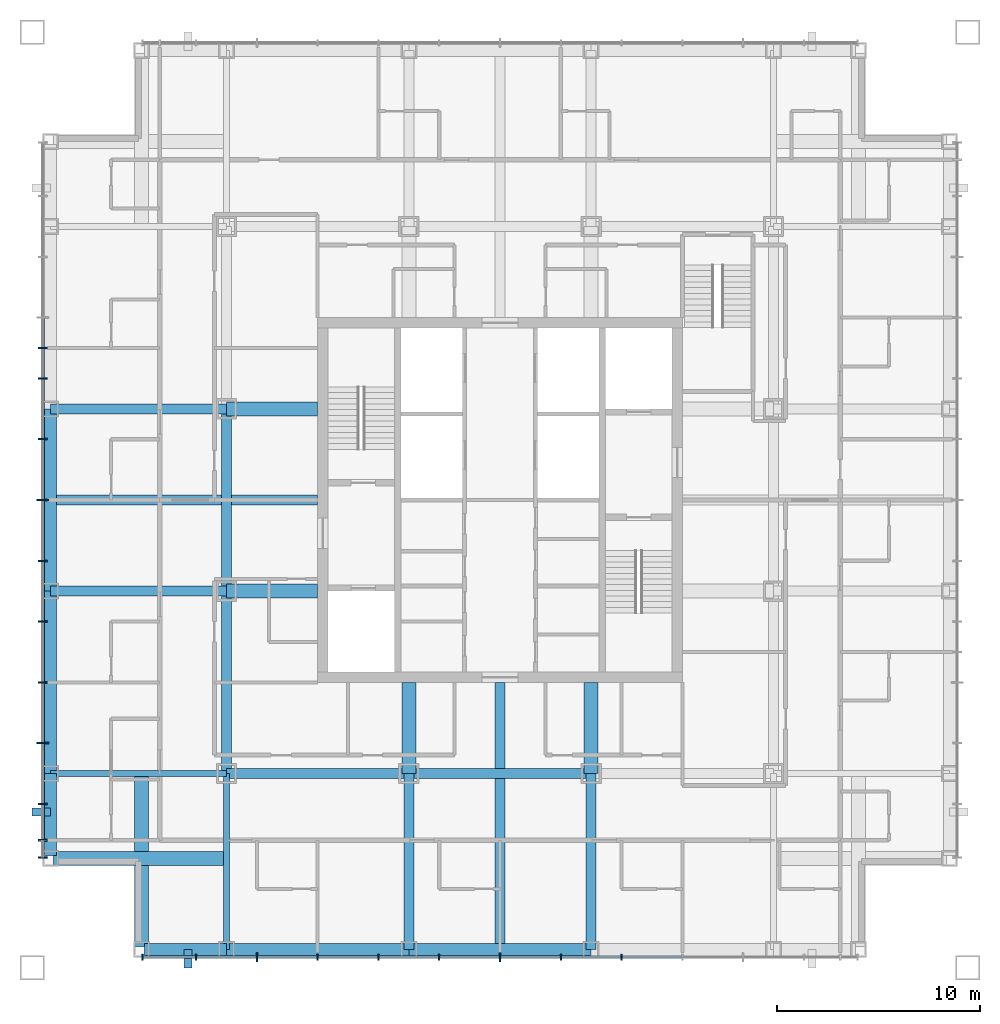
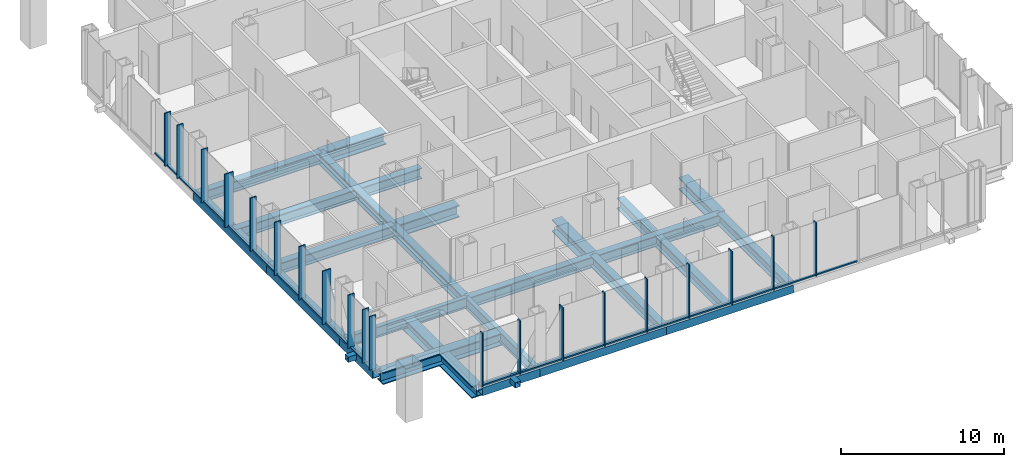
# One storey, part 2 of 12: 41 members, 24 beams, 2 elements without a shape of their own.
"""IFC4 building model written with IfcOpenShell, lengths in metres."""

import ifcopenshell
import ifcopenshell.guid

model = None  # the IFC model being written
_history = None  # IfcOwnerHistory: only IFC2X3 demands one
_inside = {}  # id of a spatial element -> (the spatial element, [elements in it])
_under = {}  # id of a project, library or spatial element -> (it, [spatial elements below it])
_declared = {}  # id of a project -> (the project, [libraries it declares])
_typed = {}  # id of a type object -> (the type object, [elements of that type])
_made_of = {}  # id of a material, layer set ... -> (it, [elements and type objects made of it])


def new_model(schema):
    """Start an empty IFC model of exactly this schema.

    Asked for "IFC4X3", IfcOpenShell would pick the latest addendum, in which some entities
    have other attributes; the version numbers below select the first issue.
    IFC2X3 requires an IfcOwnerHistory on every rooted entity: one is made here for all.
    """
    global model, _history
    if schema == "IFC4X3":
        model = ifcopenshell.file(schema_version=(4, 3, 0, 0))
    else:
        model = ifcopenshell.file(schema=schema)
    _inside.clear()
    _under.clear()
    _declared.clear()
    _typed.clear()
    _made_of.clear()
    _history = None
    if model.schema == "IFC2X3":
        org = make("IfcOrganization", Name="unknown")
        user = make(
            "IfcPersonAndOrganization",
            ThePerson=make("IfcPerson", FamilyName="unknown"),
            TheOrganization=org,
        )
        app = make(
            "IfcApplication",
            ApplicationDeveloper=org,
            Version="unknown",
            ApplicationFullName="unknown",
            ApplicationIdentifier="unknown",
        )
        _history = make(
            "IfcOwnerHistory",
            OwningUser=user,
            OwningApplication=app,
            ChangeAction="ADDED",
            CreationDate=0,
        )
    return model


def make(cls, **values):
    """One entity of the class cls with the attributes given. An attribute that is None is left unset."""
    return model.create_entity(
        cls, **{name: value for name, value in values.items() if value is not None}
    )


def rooted(cls, **values):
    """An entity with a GlobalId (a new one), such as an element, a storey or a relation."""
    return make(cls, GlobalId=ifcopenshell.guid.new(), OwnerHistory=_history, **values)


def si_unit(unit_type, name, prefix=None):
    """IfcSIUnit, for example si_unit("LENGTHUNIT", "METRE", prefix="MILLI")."""
    return make("IfcSIUnit", UnitType=unit_type, Prefix=prefix, Name=name)


def assignment(units):
    """IfcUnitAssignment: the units of a project."""
    return None if units is None else make("IfcUnitAssignment", Units=units)


def point(xyz):
    """IfcCartesianPoint."""
    return None if xyz is None else make("IfcCartesianPoint", Coordinates=xyz)


def direction(xyz):
    """IfcDirection."""
    return None if xyz is None else make("IfcDirection", DirectionRatios=xyz)


def frame(location, z_axis=None, x_axis=None):
    """IfcAxis2Placement3D, a coordinate frame: its origin and axes. An axis left out is left unset."""
    return make(
        "IfcAxis2Placement3D",
        Location=point(location),
        Axis=direction(z_axis),
        RefDirection=direction(x_axis),
    )


def frame_2d(location, x_axis=None):
    """IfcAxis2Placement2D, a coordinate frame in the plane: its origin and x axis."""
    return make(
        "IfcAxis2Placement2D", Location=point(location), RefDirection=direction(x_axis)
    )


def origin():
    """The frame at (0, 0, 0) with its axes left unset."""
    return frame((0.0, 0.0, 0.0))


def origin_2d():
    """The frame at (0, 0) in the plane with its x axis left unset."""
    return frame_2d((0.0, 0.0))


def place(relative_to, where):
    """IfcLocalPlacement: puts the frame where relative to a parent placement (None: the world)."""
    return make(
        "IfcLocalPlacement", PlacementRelTo=relative_to, RelativePlacement=where
    )


def context(
    kind, dimensions, precision=None, world=None, true_north=None, identifier=None
):
    """IfcGeometricRepresentationContext, for example the 3D "Model" context."""
    return make(
        "IfcGeometricRepresentationContext",
        ContextIdentifier=identifier,
        ContextType=kind,
        CoordinateSpaceDimension=dimensions,
        Precision=precision,
        WorldCoordinateSystem=world,
        TrueNorth=true_north,
    )


def subcontext(parent, identifier, kind, view, scale=None):
    """IfcGeometricRepresentationSubContext, for example "Body" below "Model"."""
    return make(
        "IfcGeometricRepresentationSubContext",
        ContextIdentifier=identifier,
        ContextType=kind,
        ParentContext=parent,
        TargetScale=scale,
        TargetView=view,
    )


def project(units=None, contexts=None):
    """IfcProject with its units and contexts."""
    return rooted(
        "IfcProject",
        Name="project",
        RepresentationContexts=contexts,
        UnitsInContext=assignment(units),
    )


def spatial(cls, under=None, at=None, **own):
    """A site, building, storey or space (cls), placed at a placement, below another one or the project."""
    s = rooted(cls, ObjectPlacement=at, **own)
    if under is not None:
        _under.setdefault(under.id(), (under, []))[1].append(s)
    return s


def profile(cls, at=None, kind="AREA", **sizes):
    """A parametric profile (cls). Its sizes go by their IFC names, for example OverallWidth=200.0."""
    return make(cls, ProfileType=kind, Position=at, **sizes)


def rectangle(**sizes):
    """IfcRectangleProfileDef."""
    return profile("IfcRectangleProfileDef", **sizes)


def hollow_rectangle(**sizes):
    """IfcRectangleHollowProfileDef."""
    return profile("IfcRectangleHollowProfileDef", **sizes)


def i_section(**sizes):
    """IfcIShapeProfileDef."""
    return profile("IfcIShapeProfileDef", **sizes)


def extrude(swept, where, along, depth):
    """IfcExtrudedAreaSolid: the profile swept, set in the frame where, extruded along a direction by depth."""
    return make(
        "IfcExtrudedAreaSolid",
        SweptArea=swept,
        Position=where,
        ExtrudedDirection=direction(along),
        Depth=depth,
    )


def shape(context_of_items, identifier, shape_type, items):
    """IfcShapeRepresentation: the items that make up one representation, for example the "Body"."""
    return make(
        "IfcShapeRepresentation",
        ContextOfItems=context_of_items,
        RepresentationIdentifier=identifier,
        RepresentationType=shape_type,
        Items=items,
    )


def material(Name=None, Category=None):
    """IfcMaterial."""
    return make("IfcMaterial", Name=Name, Category=Category)


def layer(
    of_material, thickness, ventilated=None, Name=None, Category=None, Priority=None
):
    """IfcMaterialLayer: one layer of a wall or slab, of a material (None: an air gap)."""
    return make(
        "IfcMaterialLayer",
        Material=of_material,
        LayerThickness=thickness,
        IsVentilated=ventilated,
        Name=Name,
        Category=Category,
        Priority=Priority,
    )


def layer_set(layers, Name=None):
    """IfcMaterialLayerSet."""
    return make("IfcMaterialLayerSet", MaterialLayers=layers, LayerSetName=Name)


def material_profile(
    of_material, cross_section, Name=None, Category=None, Priority=None
):
    """IfcMaterialProfile: a cross section and its material."""
    return make(
        "IfcMaterialProfile",
        Name=Name,
        Material=of_material,
        Profile=cross_section,
        Priority=Priority,
        Category=Category,
    )


def profile_set(profiles, Name=None, composite=None):
    """IfcMaterialProfileSet."""
    return make(
        "IfcMaterialProfileSet",
        Name=Name,
        MaterialProfiles=profiles,
        CompositeProfile=composite,
    )


def made_of(thing, what):
    """Note that an element or type object is made of a material, layer set ...; save() writes the relation."""
    if what is not None:
        _made_of.setdefault(what.id(), (what, []))[1].append(thing)
    return thing


def type_object(cls, material=None, **own):
    """A type object (cls), such as IfcWallType, which elements share."""
    return made_of(rooted(cls, **own), material)


def element(
    cls,
    number,
    at=None,
    inside=None,
    cuts=None,
    type_object=None,
    material=None,
    context=None,
    identifier="Body",
    shape_type=None,
    held_by="IfcProductDefinitionShape",
    body=None,
    shapes=None,
    **own,
):
    """One element of the class cls, such as IfcWall. Its Tag is "e" and its number.

    at: its placement. inside: the storey or other place that contains it. cuts: it is an
    opening in that element (IfcRelVoidsElement). A single representation is given by context,
    identifier, shape_type and body (its items); several are given by shapes. held_by: the class
    of the entity that holds the representations. save() writes the other relations.
    """
    e = rooted(cls, Tag="e%d" % number, ObjectPlacement=at, **own)
    if body is not None:
        shapes = [shape(context, identifier, shape_type, body)]
    if shapes is not None:
        e.Representation = make(held_by, Representations=shapes)
    if inside is not None:
        _inside.setdefault(inside.id(), (inside, []))[1].append(e)
    if cuts is not None:
        rooted(
            "IfcRelVoidsElement", RelatingBuildingElement=cuts, RelatedOpeningElement=e
        )
    if type_object is not None:
        _typed.setdefault(type_object.id(), (type_object, []))[1].append(e)
    return made_of(e, material)


def aggregate(whole, parts):
    """IfcRelAggregates: a whole, such as a stair, and the parts it consists of."""
    return rooted("IfcRelAggregates", RelatingObject=whole, RelatedObjects=parts)


def save(model, path):
    """Write the relations noted so far, then the file.

    IfcRelAggregates (storeys below a building ...), IfcRelContainedInSpatialStructure (elements
    in a storey), IfcRelDefinesByType, IfcRelAssociatesMaterial and IfcRelDeclares: one each for
    every whole, place, type object, material and project.
    """
    for whole, parts in _under.values():
        aggregate(whole, parts)
    for where, things in _inside.values():
        rooted(
            "IfcRelContainedInSpatialStructure",
            RelatedElements=things,
            RelatingStructure=where,
        )
    for kind, things in _typed.values():
        rooted("IfcRelDefinesByType", RelatedObjects=things, RelatingType=kind)
    for what, things in _made_of.values():
        rooted("IfcRelAssociatesMaterial", RelatedObjects=things, RelatingMaterial=what)
    for by, libraries in _declared.values():
        rooted("IfcRelDeclares", RelatingContext=by, RelatedDefinitions=libraries)
    model.write(path)


model = new_model("IFC4")

# Units and contexts
model_context = context("Model", 3, precision=1e-05, world=origin(), true_north=direction((0.0, 1.0)))
body_context = subcontext(model_context, "Body", "Model", "MODEL_VIEW")
ifc_project = project(units=[si_unit("LENGTHUNIT", "METRE"), si_unit("AREAUNIT", "SQUARE_METRE"), si_unit("VOLUMEUNIT", "CUBIC_METRE"), si_unit("PLANEANGLEUNIT", "RADIAN"), si_unit("MASSUNIT", "GRAM", prefix="KILO")], contexts=[model_context])

# Site, building, storey
site_placement = place(None, origin())
site = spatial("IfcSite", under=ifc_project, at=site_placement, CompositionType="ELEMENT")
building_placement = place(site_placement, origin())
building = spatial("IfcBuilding", under=site, at=building_placement, Name="Malebo Sky Hospital", CompositionType="ELEMENT")
storey_placement = place(building_placement, frame((0.0, 0.0, 221.0)))
storey = spatial("IfcBuildingStorey", under=building, at=storey_placement, Name="L53", CompositionType="ELEMENT", Elevation=221.0)

# Curtain wall, members
ifc_material_1 = material(Name="Anodised aluminium, natural silver", Category="aluminium")
ifc_layer_1 = layer(ifc_material_1, 0.25)
ifc_layer_set_1 = layer_set([ifc_layer_1], Name="WARD CURTAIN WALL EAST AND WEST")
curtain_wall_type_1 = type_object("IfcCurtainWallType", Name="WARD CURTAIN WALL EAST AND WEST", PredefinedType="NOTDEFINED", material=ifc_layer_set_1)
curtain_wall_1_placement = place(storey_placement, origin())
curtain_wall_1 = element("IfcCurtainWall", 1, at=curtain_wall_1_placement, inside=storey, type_object=curtain_wall_type_1, Name="EW curtain wall W", PredefinedType="NOTDEFINED")
ifc_material_profile_1 = material_profile(ifc_material_1, rectangle(XDim=0.14990234375, YDim=0.10009765625, at=origin_2d()), Name="ALUMINIUM TRANSOM 150x100")
ifc_profile_set_1 = profile_set([ifc_material_profile_1], Name="Anodised aluminium, natural silver")
member_type_1 = type_object("IfcMemberType", Name="ALUMINIUM TRANSOM 150x100", PredefinedType="USERDEFINED", material=ifc_profile_set_1)
member_1_placement = place(storey_placement, frame((37.425048828125, 45.237548828125, 0.050048828125), z_axis=(0.0, 1.0, 0.0), x_axis=(-1.0, 0.0, 0.0)))
member_1 = element("IfcMember", 2, at=member_1_placement, type_object=member_type_1, Name="Transom 2", ObjectType="TRANSOM", PredefinedType="USERDEFINED", context=body_context, shape_type="SweptSolid", body=[
    extrude(rectangle(XDim=0.14990234375, YDim=0.10009765625, at=origin_2d()), origin(), (0.0, 0.0, 1.0), 1.724853515625),
])
member_2_placement = place(storey_placement, frame((37.425048828125, 47.03759765625, 0.050048828125), z_axis=(0.0, 1.0, 0.0), x_axis=(-1.0, 0.0, 0.0)))
member_2 = element("IfcMember", 3, at=member_2_placement, type_object=member_type_1, Name="Transom 3", ObjectType="TRANSOM", PredefinedType="USERDEFINED", context=body_context, shape_type="SweptSolid", body=[
    extrude(rectangle(XDim=0.14990234375, YDim=0.10009765625, at=origin_2d()), origin(), (0.0, 0.0, 1.0), 2.9248046875),
])
member_3_placement = place(storey_placement, frame((37.425048828125, 50.03759765625, 0.050048828125), z_axis=(0.0, 1.0, 0.0), x_axis=(-1.0, 0.0, 0.0)))
member_3 = element("IfcMember", 4, at=member_3_placement, type_object=member_type_1, Name="Transom 4", ObjectType="TRANSOM", PredefinedType="USERDEFINED", context=body_context, shape_type="SweptSolid", body=[
    extrude(rectangle(XDim=0.14990234375, YDim=0.10009765625, at=origin_2d()), origin(), (0.0, 0.0, 1.0), 2.9248046875),
])
member_4_placement = place(storey_placement, frame((37.425048828125, 53.03759765625, 0.050048828125), z_axis=(0.0, 1.0, 0.0), x_axis=(-1.0, 0.0, 0.0)))
member_4 = element("IfcMember", 5, at=member_4_placement, type_object=member_type_1, Name="Transom 5", ObjectType="TRANSOM", PredefinedType="USERDEFINED", context=body_context, shape_type="SweptSolid", body=[
    extrude(rectangle(XDim=0.14990234375, YDim=0.10009765625, at=origin_2d()), origin(), (0.0, 0.0, 1.0), 2.9248046875),
])
member_5_placement = place(storey_placement, frame((37.425048828125, 56.03759765625, 0.050048828125), z_axis=(0.0, 1.0, 0.0), x_axis=(-1.0, 0.0, 0.0)))
member_5 = element("IfcMember", 6, at=member_5_placement, type_object=member_type_1, Name="Transom 6", ObjectType="TRANSOM", PredefinedType="USERDEFINED", context=body_context, shape_type="SweptSolid", body=[
    extrude(rectangle(XDim=0.14990234375, YDim=0.10009765625, at=origin_2d()), origin(), (0.0, 0.0, 1.0), 2.9248046875),
])
member_6_placement = place(storey_placement, frame((37.425048828125, 59.03759765625, 0.050048828125), z_axis=(0.0, 1.0, 0.0), x_axis=(-1.0, 0.0, 0.0)))
member_6 = element("IfcMember", 7, at=member_6_placement, type_object=member_type_1, Name="Transom 7", ObjectType="TRANSOM", PredefinedType="USERDEFINED", context=body_context, shape_type="SweptSolid", body=[
    extrude(rectangle(XDim=0.14990234375, YDim=0.10009765625, at=origin_2d()), origin(), (0.0, 0.0, 1.0), 2.9248046875),
])
member_7_placement = place(storey_placement, frame((37.425048828125, 62.03759765625, 0.050048828125), z_axis=(0.0, 1.0, 0.0), x_axis=(-1.0, 0.0, 0.0)))
member_7 = element("IfcMember", 8, at=member_7_placement, type_object=member_type_1, Name="Transom 8", ObjectType="TRANSOM", PredefinedType="USERDEFINED", context=body_context, shape_type="SweptSolid", body=[
    extrude(rectangle(XDim=0.14990234375, YDim=0.10009765625, at=origin_2d()), origin(), (0.0, 0.0, 1.0), 2.9248046875),
])
member_8_placement = place(storey_placement, frame((37.425048828125, 65.03759765625, 0.050048828125), z_axis=(0.0, 1.0, 0.0), x_axis=(-1.0, 0.0, 0.0)))
member_8 = element("IfcMember", 9, at=member_8_placement, type_object=member_type_1, Name="Transom 9", ObjectType="TRANSOM", PredefinedType="USERDEFINED", context=body_context, shape_type="SweptSolid", body=[
    extrude(rectangle(XDim=0.14990234375, YDim=0.10009765625, at=origin_2d()), origin(), (0.0, 0.0, 1.0), 2.9248046875),
])
member_9_placement = place(storey_placement, frame((37.425048828125, 68.03759765625, 0.050048828125), z_axis=(0.0, 1.0, 0.0), x_axis=(-1.0, 0.0, 0.0)))
member_9 = element("IfcMember", 10, at=member_9_placement, type_object=member_type_1, Name="Transom 10", ObjectType="TRANSOM", PredefinedType="USERDEFINED", context=body_context, shape_type="SweptSolid", body=[
    extrude(rectangle(XDim=0.14990234375, YDim=0.10009765625, at=origin_2d()), origin(), (0.0, 0.0, 1.0), 1.4248046875),
])
member_10_placement = place(storey_placement, frame((37.425048828125, 69.53759765625, 0.050048828125), z_axis=(0.0, 1.0, 0.0), x_axis=(-1.0, 0.0, 0.0)))
member_10 = element("IfcMember", 11, at=member_10_placement, type_object=member_type_1, Name="Transom 11", ObjectType="TRANSOM", PredefinedType="USERDEFINED", context=body_context, shape_type="SweptSolid", body=[
    extrude(rectangle(XDim=0.14990234375, YDim=0.10009765625, at=origin_2d()), origin(), (0.0, 0.0, 1.0), 1.4248046875),
])

ifc_layer_2 = layer(ifc_material_1, 0.25)
ifc_layer_set_2 = layer_set([ifc_layer_2], Name="WARD CURTAIN WALL NORTH AND SOUTH")
curtain_wall_type_2 = type_object("IfcCurtainWallType", Name="WARD CURTAIN WALL NORTH AND SOUTH", PredefinedType="NOTDEFINED", material=ifc_layer_set_2)
curtain_wall_2_placement = place(storey_placement, origin())
curtain_wall_2 = element("IfcCurtainWall", 12, at=curtain_wall_2_placement, inside=storey, type_object=curtain_wall_type_2, Name="NS curtain wall S", PredefinedType="NOTDEFINED")
member_11_placement = place(storey_placement, frame((68.96240234375, 39.425048828125, 0.050048828125), z_axis=(-1.0, 0.0, 0.0), x_axis=(0.0, -1.0, 0.0)))
member_11 = element("IfcMember", 13, at=member_11_placement, type_object=member_type_1, Name="Transom 5", ObjectType="TRANSOM", PredefinedType="USERDEFINED", context=body_context, shape_type="SweptSolid", body=[
    extrude(rectangle(XDim=0.14990234375, YDim=0.10009765625, at=origin_2d()), origin(), (0.0, 0.0, 1.0), 2.9248046875),
])
member_12_placement = place(storey_placement, frame((65.96240234375, 39.425048828125, 0.050048828125), z_axis=(-1.0, 0.0, 0.0), x_axis=(0.0, -1.0, 0.0)))
member_12 = element("IfcMember", 14, at=member_12_placement, type_object=member_type_1, Name="Transom 6", ObjectType="TRANSOM", PredefinedType="USERDEFINED", context=body_context, shape_type="SweptSolid", body=[
    extrude(rectangle(XDim=0.14990234375, YDim=0.10009765625, at=origin_2d()), origin(), (0.0, 0.0, 1.0), 2.9248046875),
])
member_13_placement = place(storey_placement, frame((62.96240234375, 39.425048828125, 0.050048828125), z_axis=(-1.0, 0.0, 0.0), x_axis=(0.0, -1.0, 0.0)))
member_13 = element("IfcMember", 15, at=member_13_placement, type_object=member_type_1, Name="Transom 7", ObjectType="TRANSOM", PredefinedType="USERDEFINED", context=body_context, shape_type="SweptSolid", body=[
    extrude(rectangle(XDim=0.14990234375, YDim=0.10009765625, at=origin_2d()), origin(), (0.0, 0.0, 1.0), 2.9248046875),
])
member_14_placement = place(storey_placement, frame((59.96240234375, 39.425048828125, 0.050048828125), z_axis=(-1.0, 0.0, 0.0), x_axis=(0.0, -1.0, 0.0)))
member_14 = element("IfcMember", 16, at=member_14_placement, type_object=member_type_1, Name="Transom 8", ObjectType="TRANSOM", PredefinedType="USERDEFINED", context=body_context, shape_type="SweptSolid", body=[
    extrude(rectangle(XDim=0.14990234375, YDim=0.10009765625, at=origin_2d()), origin(), (0.0, 0.0, 1.0), 2.9248046875),
])
member_15_placement = place(storey_placement, frame((56.96240234375, 39.425048828125, 0.050048828125), z_axis=(-1.0, 0.0, 0.0), x_axis=(0.0, -1.0, 0.0)))
member_15 = element("IfcMember", 17, at=member_15_placement, type_object=member_type_1, Name="Transom 9", ObjectType="TRANSOM", PredefinedType="USERDEFINED", context=body_context, shape_type="SweptSolid", body=[
    extrude(rectangle(XDim=0.14990234375, YDim=0.10009765625, at=origin_2d()), origin(), (0.0, 0.0, 1.0), 2.9248046875),
])
member_16_placement = place(storey_placement, frame((53.96240234375, 39.425048828125, 0.050048828125), z_axis=(-1.0, 0.0, 0.0), x_axis=(0.0, -1.0, 0.0)))
member_16 = element("IfcMember", 18, at=member_16_placement, type_object=member_type_1, Name="Transom 10", ObjectType="TRANSOM", PredefinedType="USERDEFINED", context=body_context, shape_type="SweptSolid", body=[
    extrude(rectangle(XDim=0.14990234375, YDim=0.10009765625, at=origin_2d()), origin(), (0.0, 0.0, 1.0), 2.9248046875),
])
member_17_placement = place(storey_placement, frame((50.96240234375, 39.425048828125, 0.050048828125), z_axis=(-1.0, 0.0, 0.0), x_axis=(0.0, -1.0, 0.0)))
member_17 = element("IfcMember", 19, at=member_17_placement, type_object=member_type_1, Name="Transom 11", ObjectType="TRANSOM", PredefinedType="USERDEFINED", context=body_context, shape_type="SweptSolid", body=[
    extrude(rectangle(XDim=0.14990234375, YDim=0.10009765625, at=origin_2d()), origin(), (0.0, 0.0, 1.0), 2.9248046875),
])
member_18_placement = place(storey_placement, frame((47.96240234375, 39.425048828125, 0.050048828125), z_axis=(-1.0, 0.0, 0.0), x_axis=(0.0, -1.0, 0.0)))
member_18 = element("IfcMember", 20, at=member_18_placement, type_object=member_type_1, Name="Transom 12", ObjectType="TRANSOM", PredefinedType="USERDEFINED", context=body_context, shape_type="SweptSolid", body=[
    extrude(rectangle(XDim=0.14990234375, YDim=0.10009765625, at=origin_2d()), origin(), (0.0, 0.0, 1.0), 2.9248046875),
])
member_19_placement = place(storey_placement, frame((44.96240234375, 39.425048828125, 0.050048828125), z_axis=(-1.0, 0.0, 0.0), x_axis=(0.0, -1.0, 0.0)))
member_19 = element("IfcMember", 21, at=member_19_placement, type_object=member_type_1, Name="Transom 13", ObjectType="TRANSOM", PredefinedType="USERDEFINED", context=body_context, shape_type="SweptSolid", body=[
    extrude(rectangle(XDim=0.14990234375, YDim=0.10009765625, at=origin_2d()), origin(), (0.0, 0.0, 1.0), 2.58740234375),
])

# Members
ifc_material_2 = material(Name="Steel S355", Category="steel")
ifc_material_profile_2 = material_profile(ifc_material_2, hollow_rectangle(XDim=0.39990234375, YDim=0.39990234375, WallThickness=0.02001953125, at=origin_2d()), Name="SHS 400x20")
ifc_profile_set_2 = profile_set([ifc_material_profile_2], Name="Steel S355")
member_type_2 = type_object("IfcMemberType", Name="BRACE STRUT SHS 400x20", PredefinedType="STRUT", material=ifc_profile_set_2)
for number, where, z_axis, x_axis, name in (
    (22, (44.60009765625, 38.89990234375, -0.39990234375), (0.0, 1.0, 0.0), (-1.0, 0.0, 0.0), "Brace strut CS1 L53"),
    (23, (36.89990234375, 46.60009765625, -0.39990234375), (1.0, 0.0, 0.0), (0.0, 1.0, 0.0), "Brace strut CW2 L53"),
):
    element("IfcMember", number, at=place(storey_placement, frame(where, z_axis=z_axis, x_axis=x_axis)), inside=storey, type_object=member_type_2, Name=name, PredefinedType="STRUT", context=body_context, shape_type="SweptSolid", body=[
        extrude(hollow_rectangle(XDim=0.39990234375, YDim=0.39990234375, WallThickness=0.02001953125, at=origin_2d()), origin(), (0.0, 0.0, 1.0), 0.900146484375),
    ])

# Member
ifc_material_profile_3 = material_profile(ifc_material_1, rectangle(XDim=0.074951171875, YDim=0.300048828125, at=origin_2d()), Name="CW1 ALUMINIUM FIN MULLION 75x300")
ifc_profile_set_3 = profile_set([ifc_material_profile_3], Name="Anodised aluminium, natural silver")
member_type_3 = type_object("IfcMemberType", Name="CW1 ALUMINIUM FIN MULLION 75x300", PredefinedType="MULLION", material=ifc_profile_set_3)
member_20_placement = place(storey_placement, frame((66.0, 39.425048828125, 0.0), z_axis=(0.0, 0.0, 1.0), x_axis=(-1.0, 0.0, 0.0)))
member_20 = element("IfcMember", 24, at=member_20_placement, type_object=member_type_3, Name="Fin mullion 6", PredefinedType="MULLION", context=body_context, shape_type="SweptSolid", body=[
    extrude(rectangle(XDim=0.074951171875, YDim=0.300048828125, at=origin_2d()), origin(), (0.0, 0.0, 1.0), 4.0),
])

member_21_placement = place(storey_placement, frame((63.0, 39.425048828125, 0.0), z_axis=(0.0, 0.0, 1.0), x_axis=(-1.0, 0.0, 0.0)))
member_21 = element("IfcMember", 25, at=member_21_placement, type_object=member_type_3, Name="Fin mullion 7", PredefinedType="MULLION", context=body_context, shape_type="SweptSolid", body=[
    extrude(rectangle(XDim=0.074951171875, YDim=0.300048828125, at=origin_2d()), origin(), (0.0, 0.0, 1.0), 4.0),
])

member_22_placement = place(storey_placement, frame((57.0, 39.425048828125, 0.0), z_axis=(0.0, 0.0, 1.0), x_axis=(-1.0, 0.0, 0.0)))
member_22 = element("IfcMember", 26, at=member_22_placement, type_object=member_type_3, Name="Fin mullion 9", PredefinedType="MULLION", context=body_context, shape_type="SweptSolid", body=[
    extrude(rectangle(XDim=0.074951171875, YDim=0.300048828125, at=origin_2d()), origin(), (0.0, 0.0, 1.0), 4.0),
])

member_23_placement = place(storey_placement, frame((54.0, 39.425048828125, 0.0), z_axis=(0.0, 0.0, 1.0), x_axis=(-1.0, 0.0, 0.0)))
member_23 = element("IfcMember", 27, at=member_23_placement, type_object=member_type_3, Name="Fin mullion 10", PredefinedType="MULLION", context=body_context, shape_type="SweptSolid", body=[
    extrude(rectangle(XDim=0.074951171875, YDim=0.300048828125, at=origin_2d()), origin(), (0.0, 0.0, 1.0), 4.0),
])

member_24_placement = place(storey_placement, frame((51.0, 39.425048828125, 0.0), z_axis=(0.0, 0.0, 1.0), x_axis=(-1.0, 0.0, 0.0)))
member_24 = element("IfcMember", 28, at=member_24_placement, type_object=member_type_3, Name="Fin mullion 11", PredefinedType="MULLION", context=body_context, shape_type="SweptSolid", body=[
    extrude(rectangle(XDim=0.074951171875, YDim=0.300048828125, at=origin_2d()), origin(), (0.0, 0.0, 1.0), 4.0),
])

member_25_placement = place(storey_placement, frame((45.0, 39.425048828125, 0.0), z_axis=(0.0, 0.0, 1.0), x_axis=(-1.0, 0.0, 0.0)))
member_25 = element("IfcMember", 29, at=member_25_placement, type_object=member_type_3, Name="Fin mullion 13", PredefinedType="MULLION", context=body_context, shape_type="SweptSolid", body=[
    extrude(rectangle(XDim=0.074951171875, YDim=0.300048828125, at=origin_2d()), origin(), (0.0, 0.0, 1.0), 4.0),
])

member_26_placement = place(storey_placement, frame((42.33740234375, 39.425048828125, 0.0), z_axis=(0.0, 0.0, 1.0), x_axis=(-1.0, 0.0, 0.0)))
member_26 = element("IfcMember", 30, at=member_26_placement, type_object=member_type_3, Name="Fin mullion 14", PredefinedType="MULLION", context=body_context, shape_type="SweptSolid", body=[
    extrude(rectangle(XDim=0.074951171875, YDim=0.300048828125, at=origin_2d()), origin(), (0.0, 0.0, 1.0), 4.0),
])

ifc_material_profile_4 = material_profile(ifc_material_1, rectangle(XDim=0.074951171875, YDim=0.449951171875, at=origin_2d()), Name="CW1 ALUMINIUM FIN MULLION 75x450")
ifc_profile_set_4 = profile_set([ifc_material_profile_4], Name="Anodised aluminium, natural silver")
member_type_4 = type_object("IfcMemberType", Name="CW1 ALUMINIUM FIN MULLION 75x450", PredefinedType="MULLION", material=ifc_profile_set_4)
member_27_placement = place(storey_placement, frame((60.0, 39.425048828125, 0.0), z_axis=(0.0, 0.0, 1.0), x_axis=(-1.0, 0.0, 0.0)))
member_27 = element("IfcMember", 31, at=member_27_placement, type_object=member_type_4, Name="Fin mullion 8", PredefinedType="MULLION", context=body_context, shape_type="SweptSolid", body=[
    extrude(rectangle(XDim=0.074951171875, YDim=0.449951171875, at=origin_2d()), origin(), (0.0, 0.0, 1.0), 4.0),
])

member_28_placement = place(storey_placement, frame((48.0, 39.425048828125, 0.0), z_axis=(0.0, 0.0, 1.0), x_axis=(-1.0, 0.0, 0.0)))
member_28 = element("IfcMember", 32, at=member_28_placement, type_object=member_type_4, Name="Fin mullion 12", PredefinedType="MULLION", context=body_context, shape_type="SweptSolid", body=[
    extrude(rectangle(XDim=0.074951171875, YDim=0.449951171875, at=origin_2d()), origin(), (0.0, 0.0, 1.0), 4.0),
])

aggregate(curtain_wall_2, [member_20, member_21, member_27, member_22, member_23, member_24, member_28, member_25, member_26, member_11, member_12, member_13, member_14, member_15, member_16, member_17, member_18, member_19])

ifc_material_profile_5 = material_profile(ifc_material_1, rectangle(XDim=0.074951171875, YDim=0.449951171875, at=origin_2d()), Name="CW2 ALUMINIUM FIN MULLION 75x450")
ifc_profile_set_5 = profile_set([ifc_material_profile_5], Name="Anodised aluminium, natural silver")
member_type_5 = type_object("IfcMemberType", Name="CW2 ALUMINIUM FIN MULLION 75x450", PredefinedType="MULLION", material=ifc_profile_set_5)
member_29_placement = place(storey_placement, frame((37.425048828125, 44.33740234375, 0.0), z_axis=(0.0, 0.0, 1.0), x_axis=(0.0, 1.0, 0.0)))
member_29 = element("IfcMember", 33, at=member_29_placement, type_object=member_type_5, Name="Fin mullion 1", PredefinedType="MULLION", context=body_context, shape_type="SweptSolid", body=[
    extrude(rectangle(XDim=0.074951171875, YDim=0.449951171875, at=origin_2d()), origin(), (0.0, 0.0, 1.0), 4.0),
])

member_30_placement = place(storey_placement, frame((37.425048828125, 45.199951171875, 0.0), z_axis=(0.0, 0.0, 1.0), x_axis=(0.0, 1.0, 0.0)))
member_30 = element("IfcMember", 34, at=member_30_placement, type_object=member_type_5, Name="Fin mullion 2", PredefinedType="MULLION", context=body_context, shape_type="SweptSolid", body=[
    extrude(rectangle(XDim=0.074951171875, YDim=0.449951171875, at=origin_2d()), origin(), (0.0, 0.0, 1.0), 4.0),
])

member_31_placement = place(storey_placement, frame((37.425048828125, 47.0, 0.0), z_axis=(0.0, 0.0, 1.0), x_axis=(0.0, 1.0, 0.0)))
member_31 = element("IfcMember", 35, at=member_31_placement, type_object=member_type_5, Name="Fin mullion 3", PredefinedType="MULLION", context=body_context, shape_type="SweptSolid", body=[
    extrude(rectangle(XDim=0.074951171875, YDim=0.449951171875, at=origin_2d()), origin(), (0.0, 0.0, 1.0), 4.0),
])

member_32_placement = place(storey_placement, frame((37.425048828125, 53.0, 0.0), z_axis=(0.0, 0.0, 1.0), x_axis=(0.0, 1.0, 0.0)))
member_32 = element("IfcMember", 36, at=member_32_placement, type_object=member_type_5, Name="Fin mullion 5", PredefinedType="MULLION", context=body_context, shape_type="SweptSolid", body=[
    extrude(rectangle(XDim=0.074951171875, YDim=0.449951171875, at=origin_2d()), origin(), (0.0, 0.0, 1.0), 4.0),
])

member_33_placement = place(storey_placement, frame((37.425048828125, 56.0, 0.0), z_axis=(0.0, 0.0, 1.0), x_axis=(0.0, 1.0, 0.0)))
member_33 = element("IfcMember", 37, at=member_33_placement, type_object=member_type_5, Name="Fin mullion 6", PredefinedType="MULLION", context=body_context, shape_type="SweptSolid", body=[
    extrude(rectangle(XDim=0.074951171875, YDim=0.449951171875, at=origin_2d()), origin(), (0.0, 0.0, 1.0), 4.0),
])

member_34_placement = place(storey_placement, frame((37.425048828125, 59.0, 0.0), z_axis=(0.0, 0.0, 1.0), x_axis=(0.0, 1.0, 0.0)))
member_34 = element("IfcMember", 38, at=member_34_placement, type_object=member_type_5, Name="Fin mullion 7", PredefinedType="MULLION", context=body_context, shape_type="SweptSolid", body=[
    extrude(rectangle(XDim=0.074951171875, YDim=0.449951171875, at=origin_2d()), origin(), (0.0, 0.0, 1.0), 4.0),
])

member_35_placement = place(storey_placement, frame((37.425048828125, 65.0, 0.0), z_axis=(0.0, 0.0, 1.0), x_axis=(0.0, 1.0, 0.0)))
member_35 = element("IfcMember", 39, at=member_35_placement, type_object=member_type_5, Name="Fin mullion 9", PredefinedType="MULLION", context=body_context, shape_type="SweptSolid", body=[
    extrude(rectangle(XDim=0.074951171875, YDim=0.449951171875, at=origin_2d()), origin(), (0.0, 0.0, 1.0), 4.0),
])

member_36_placement = place(storey_placement, frame((37.425048828125, 68.0, 0.0), z_axis=(0.0, 0.0, 1.0), x_axis=(0.0, 1.0, 0.0)))
member_36 = element("IfcMember", 40, at=member_36_placement, type_object=member_type_5, Name="Fin mullion 10", PredefinedType="MULLION", context=body_context, shape_type="SweptSolid", body=[
    extrude(rectangle(XDim=0.074951171875, YDim=0.449951171875, at=origin_2d()), origin(), (0.0, 0.0, 1.0), 4.0),
])

member_37_placement = place(storey_placement, frame((37.425048828125, 69.5, 0.0), z_axis=(0.0, 0.0, 1.0), x_axis=(0.0, 1.0, 0.0)))
member_37 = element("IfcMember", 41, at=member_37_placement, type_object=member_type_5, Name="Fin mullion 11", PredefinedType="MULLION", context=body_context, shape_type="SweptSolid", body=[
    extrude(rectangle(XDim=0.074951171875, YDim=0.449951171875, at=origin_2d()), origin(), (0.0, 0.0, 1.0), 4.0),
])

ifc_material_profile_6 = material_profile(ifc_material_1, rectangle(XDim=0.074951171875, YDim=0.60009765625, at=origin_2d()), Name="CW2 ALUMINIUM FIN MULLION 75x600")
ifc_profile_set_6 = profile_set([ifc_material_profile_6], Name="Anodised aluminium, natural silver")
member_type_6 = type_object("IfcMemberType", Name="CW2 ALUMINIUM FIN MULLION 75x600", PredefinedType="MULLION", material=ifc_profile_set_6)
member_38_placement = place(storey_placement, frame((37.425048828125, 50.0, 0.0), z_axis=(0.0, 0.0, 1.0), x_axis=(0.0, 1.0, 0.0)))
member_38 = element("IfcMember", 42, at=member_38_placement, type_object=member_type_6, Name="Fin mullion 4", PredefinedType="MULLION", context=body_context, shape_type="SweptSolid", body=[
    extrude(rectangle(XDim=0.074951171875, YDim=0.60009765625, at=origin_2d()), origin(), (0.0, 0.0, 1.0), 4.0),
])

member_39_placement = place(storey_placement, frame((37.425048828125, 62.0, 0.0), z_axis=(0.0, 0.0, 1.0), x_axis=(0.0, 1.0, 0.0)))
member_39 = element("IfcMember", 43, at=member_39_placement, type_object=member_type_6, Name="Fin mullion 8", PredefinedType="MULLION", context=body_context, shape_type="SweptSolid", body=[
    extrude(rectangle(XDim=0.074951171875, YDim=0.60009765625, at=origin_2d()), origin(), (0.0, 0.0, 1.0), 4.0),
])

aggregate(curtain_wall_1, [member_29, member_30, member_31, member_38, member_32, member_33, member_34, member_39, member_35, member_36, member_37, member_1, member_2, member_3, member_4, member_5, member_6, member_7, member_8, member_9, member_10])

# Beams
ifc_material_3 = material(Name="Steel S460", Category="steel")
ifc_material_profile_7 = material_profile(ifc_material_3, hollow_rectangle(XDim=0.60009765625, YDim=0.60009765625, WallThickness=0.0400390625, at=origin_2d()), Name="BOX 600x600x40")
ifc_profile_set_7 = profile_set([ifc_material_profile_7], Name="Steel S460")
beam_type_1 = type_object("IfcBeamType", Name="EDGE BEAM BOX 600x600x40", PredefinedType="BEAM", material=ifc_profile_set_7)
beam_1_placement = place(storey_placement, frame((37.800048828125, 44.449951171875, -0.550048828125), z_axis=(0.0, 1.0, 0.0), x_axis=(-1.0, 0.0, 0.0)))
element("IfcBeam", 44, at=beam_1_placement, inside=storey, type_object=beam_type_1, Name="Beam 000 L53", PredefinedType="BEAM", context=body_context, shape_type="SweptSolid", body=[
    extrude(hollow_rectangle(XDim=0.60009765625, YDim=0.60009765625, WallThickness=0.0400390625, at=origin_2d()), origin(), (0.0, 0.0, 1.0), 4.050048828125),
])
for number, where, z_axis, x_axis, name in (
    (45, (37.800048828125, 48.5, -0.550048828125), (0.0, 1.0, 0.0), (-1.0, 0.0, 0.0), "Beam 001 L53"),
    (46, (37.800048828125, 57.5, -0.550048828125), (0.0, 1.0, 0.0), (-1.0, 0.0, 0.0), "Beam 002 L53"),
):
    element("IfcBeam", number, at=place(storey_placement, frame(where, z_axis=z_axis, x_axis=x_axis)), inside=storey, type_object=beam_type_1, Name=name, PredefinedType="BEAM", context=body_context, shape_type="SweptSolid", body=[
        extrude(hollow_rectangle(XDim=0.60009765625, YDim=0.60009765625, WallThickness=0.0400390625, at=origin_2d()), origin(), (0.0, 0.0, 1.0), 9.0),
    ])
beam_2_placement = place(storey_placement, frame((42.449951171875, 39.800048828125, -0.550048828125), z_axis=(1.0, 0.0, 0.0), x_axis=(0.0, 1.0, 0.0)))
element("IfcBeam", 47, at=beam_2_placement, inside=storey, type_object=beam_type_1, Name="Beam 034 L53", PredefinedType="BEAM", context=body_context, shape_type="SweptSolid", body=[
    extrude(hollow_rectangle(XDim=0.60009765625, YDim=0.60009765625, WallThickness=0.0400390625, at=origin_2d()), origin(), (0.0, 0.0, 1.0), 4.050048828125),
])
for number, where, z_axis, x_axis, name in (
    (48, (46.5, 39.800048828125, -0.550048828125), (1.0, 0.0, 0.0), (0.0, 1.0, 0.0), "Beam 035 L53"),
    (49, (55.5, 39.800048828125, -0.550048828125), (1.0, 0.0, 0.0), (0.0, 1.0, 0.0), "Beam 036 L53"),
):
    element("IfcBeam", number, at=place(storey_placement, frame(where, z_axis=z_axis, x_axis=x_axis)), inside=storey, type_object=beam_type_1, Name=name, PredefinedType="BEAM", context=body_context, shape_type="SweptSolid", body=[
        extrude(hollow_rectangle(XDim=0.60009765625, YDim=0.60009765625, WallThickness=0.0400390625, at=origin_2d()), origin(), (0.0, 0.0, 1.0), 9.0),
    ])
ifc_material_profile_8 = material_profile(ifc_material_2, i_section(OverallWidth=0.5, OverallDepth=0.800048828125, WebThickness=0.030029296875, FlangeThickness=0.050048828125, at=origin_2d()), Name="PG 800x500x30x50")
ifc_profile_set_8 = profile_set([ifc_material_profile_8], Name="Steel S355")
beam_type_2 = type_object("IfcBeamType", Name="FLOOR BEAM PG 800x500x30x50", PredefinedType="BEAM", material=ifc_profile_set_8)
beam_3_placement = place(storey_placement, frame((46.5, 48.5, -0.64990234375), z_axis=(0.0, 1.0, 0.0), x_axis=(-1.0, 0.0, 0.0)))
element("IfcBeam", 50, at=beam_3_placement, inside=storey, type_object=beam_type_2, Name="Beam 008 L53", PredefinedType="BEAM", context=body_context, shape_type="SweptSolid", body=[
    extrude(i_section(OverallWidth=0.5, OverallDepth=0.800048828125, WebThickness=0.030029296875, FlangeThickness=0.050048828125, at=origin_2d()), origin(), (0.0, 0.0, 1.0), 9.0),
])
beam_4_placement = place(storey_placement, frame((55.5, 39.800048828125, -0.64990234375), z_axis=(0.0, 1.0, 0.0), x_axis=(-1.0, 0.0, 0.0)))
element("IfcBeam", 51, at=beam_4_placement, inside=storey, type_object=beam_type_2, Name="Beam 012 L53", PredefinedType="BEAM", context=body_context, shape_type="SweptSolid", body=[
    extrude(i_section(OverallWidth=0.5, OverallDepth=0.800048828125, WebThickness=0.030029296875, FlangeThickness=0.050048828125, at=origin_2d()), origin(), (0.0, 0.0, 1.0), 8.699951171875),
])
beam_5_placement = place(storey_placement, frame((60.0, 39.800048828125, -0.64990234375), z_axis=(0.0, 1.0, 0.0), x_axis=(-1.0, 0.0, 0.0)))
element("IfcBeam", 52, at=beam_5_placement, inside=storey, type_object=beam_type_2, Name="Beam 016 L53", PredefinedType="BEAM", context=body_context, shape_type="SweptSolid", body=[
    extrude(i_section(OverallWidth=0.5, OverallDepth=0.800048828125, WebThickness=0.030029296875, FlangeThickness=0.050048828125, at=origin_2d()), origin(), (0.0, 0.0, 1.0), 13.199951171875),
])
beam_6_placement = place(storey_placement, frame((64.5, 39.800048828125, -0.64990234375), z_axis=(0.0, 1.0, 0.0), x_axis=(-1.0, 0.0, 0.0)))
element("IfcBeam", 53, at=beam_6_placement, inside=storey, type_object=beam_type_2, Name="Beam 018 L53", PredefinedType="BEAM", context=body_context, shape_type="SweptSolid", body=[
    extrude(i_section(OverallWidth=0.5, OverallDepth=0.800048828125, WebThickness=0.030029296875, FlangeThickness=0.050048828125, at=origin_2d()), origin(), (0.0, 0.0, 1.0), 8.699951171875),
])
beam_7_placement = place(storey_placement, frame((46.5, 48.5, -0.64990234375), z_axis=(1.0, 0.0, 0.0), x_axis=(0.0, 1.0, 0.0)))
element("IfcBeam", 54, at=beam_7_placement, inside=storey, type_object=beam_type_2, Name="Beam 042 L53", PredefinedType="BEAM", context=body_context, shape_type="SweptSolid", body=[
    extrude(i_section(OverallWidth=0.5, OverallDepth=0.800048828125, WebThickness=0.030029296875, FlangeThickness=0.050048828125, at=origin_2d()), origin(), (0.0, 0.0, 1.0), 9.0),
])
beam_8_placement = place(storey_placement, frame((37.800048828125, 57.5, -0.64990234375), z_axis=(1.0, 0.0, 0.0), x_axis=(0.0, 1.0, 0.0)))
element("IfcBeam", 55, at=beam_8_placement, inside=storey, type_object=beam_type_2, Name="Beam 046 L53", PredefinedType="BEAM", context=body_context, shape_type="SweptSolid", body=[
    extrude(i_section(OverallWidth=0.5, OverallDepth=0.800048828125, WebThickness=0.030029296875, FlangeThickness=0.050048828125, at=origin_2d()), origin(), (0.0, 0.0, 1.0), 8.699951171875),
])
beam_9_placement = place(storey_placement, frame((37.800048828125, 62.0, -0.64990234375), z_axis=(1.0, 0.0, 0.0), x_axis=(0.0, 1.0, 0.0)))
element("IfcBeam", 56, at=beam_9_placement, inside=storey, type_object=beam_type_2, Name="Beam 050 L53", PredefinedType="BEAM", context=body_context, shape_type="SweptSolid", body=[
    extrude(i_section(OverallWidth=0.5, OverallDepth=0.800048828125, WebThickness=0.030029296875, FlangeThickness=0.050048828125, at=origin_2d()), origin(), (0.0, 0.0, 1.0), 13.199951171875),
])
beam_10_placement = place(storey_placement, frame((37.800048828125, 66.5, -0.64990234375), z_axis=(1.0, 0.0, 0.0), x_axis=(0.0, 1.0, 0.0)))
element("IfcBeam", 57, at=beam_10_placement, inside=storey, type_object=beam_type_2, Name="Beam 052 L53", PredefinedType="BEAM", context=body_context, shape_type="SweptSolid", body=[
    extrude(i_section(OverallWidth=0.5, OverallDepth=0.800048828125, WebThickness=0.030029296875, FlangeThickness=0.050048828125, at=origin_2d()), origin(), (0.0, 0.0, 1.0), 8.699951171875),
])
ifc_material_profile_9 = material_profile(ifc_material_2, i_section(OverallWidth=0.699951171875, OverallDepth=0.89990234375, WebThickness=0.0400390625, FlangeThickness=0.070068359375, at=origin_2d()), Name="PG 900x700x40x70")
ifc_profile_set_9 = profile_set([ifc_material_profile_9], Name="Steel S355")
beam_type_3 = type_object("IfcBeamType", Name="FLOOR BEAM PG 900x700x40x70", PredefinedType="BEAM", material=ifc_profile_set_9)
beam_11_placement = place(storey_placement, frame((42.300048828125, 39.949951171875, -0.699951171875), z_axis=(0.0, 1.0, 0.0), x_axis=(-1.0, 0.0, 0.0)))
element("IfcBeam", 58, at=beam_11_placement, inside=storey, type_object=beam_type_3, Name="Beam 005 L53", PredefinedType="BEAM", context=body_context, shape_type="SweptSolid", body=[
    extrude(i_section(OverallWidth=0.699951171875, OverallDepth=0.89990234375, WebThickness=0.0400390625, FlangeThickness=0.070068359375, at=origin_2d()), origin(), (0.0, 0.0, 1.0), 8.550048828125),
])
for number, where, z_axis, x_axis, name in (
    (59, (55.5, 48.5, -0.699951171875), (0.0, 1.0, 0.0), (-1.0, 0.0, 0.0), "Beam 013 L53"),
    (60, (64.5, 48.5, -0.699951171875), (0.0, 1.0, 0.0), (-1.0, 0.0, 0.0), "Beam 019 L53"),
):
    element("IfcBeam", number, at=place(storey_placement, frame(where, z_axis=z_axis, x_axis=x_axis)), inside=storey, type_object=beam_type_3, Name=name, PredefinedType="BEAM", context=body_context, shape_type="SweptSolid", body=[
        extrude(i_section(OverallWidth=0.699951171875, OverallDepth=0.89990234375, WebThickness=0.0400390625, FlangeThickness=0.070068359375, at=origin_2d()), origin(), (0.0, 0.0, 1.0), 4.5),
    ])
beam_12_placement = place(storey_placement, frame((37.949951171875, 44.300048828125, -0.699951171875), z_axis=(1.0, 0.0, 0.0), x_axis=(0.0, 1.0, 0.0)))
element("IfcBeam", 61, at=beam_12_placement, inside=storey, type_object=beam_type_3, Name="Beam 039 L53", PredefinedType="BEAM", context=body_context, shape_type="SweptSolid", body=[
    extrude(i_section(OverallWidth=0.699951171875, OverallDepth=0.89990234375, WebThickness=0.0400390625, FlangeThickness=0.070068359375, at=origin_2d()), origin(), (0.0, 0.0, 1.0), 8.550048828125),
])
for number, where, z_axis, x_axis, name in (
    (62, (46.5, 57.5, -0.699951171875), (1.0, 0.0, 0.0), (0.0, 1.0, 0.0), "Beam 047 L53"),
    (63, (46.5, 66.5, -0.699951171875), (1.0, 0.0, 0.0), (0.0, 1.0, 0.0), "Beam 053 L53"),
):
    element("IfcBeam", number, at=place(storey_placement, frame(where, z_axis=z_axis, x_axis=x_axis)), inside=storey, type_object=beam_type_3, Name=name, PredefinedType="BEAM", context=body_context, shape_type="SweptSolid", body=[
        extrude(i_section(OverallWidth=0.699951171875, OverallDepth=0.89990234375, WebThickness=0.0400390625, FlangeThickness=0.070068359375, at=origin_2d()), origin(), (0.0, 0.0, 1.0), 4.5),
    ])
ifc_material_profile_10 = material_profile(ifc_material_2, i_section(OverallWidth=0.300048828125, OverallDepth=0.800048828125, WebThickness=0.017578125, FlangeThickness=0.032958984375, FilletRadius=0.030029296875, at=origin_2d()), Name="HEB 800")
ifc_profile_set_10 = profile_set([ifc_material_profile_10], Name="Steel S355")
beam_type_4 = type_object("IfcBeamType", Name="FLOOR GIRDER HEB 800", PredefinedType="BEAM", material=ifc_profile_set_10)
for number, where, z_axis, x_axis, name in (
    (64, (46.5, 39.800048828125, -0.64990234375), (0.0, 1.0, 0.0), (-1.0, 0.0, 0.0), "Beam 007 L53"),
    (65, (37.800048828125, 48.5, -0.64990234375), (1.0, 0.0, 0.0), (0.0, 1.0, 0.0), "Beam 041 L53"),
):
    element("IfcBeam", number, at=place(storey_placement, frame(where, z_axis=z_axis, x_axis=x_axis)), inside=storey, type_object=beam_type_4, Name=name, PredefinedType="BEAM", context=body_context, shape_type="SweptSolid", body=[
        extrude(i_section(OverallWidth=0.300048828125, OverallDepth=0.800048828125, WebThickness=0.017578125, FlangeThickness=0.032958984375, FilletRadius=0.030029296875, at=origin_2d()), origin(), (0.0, 0.0, 1.0), 8.699951171875),
    ])
ifc_material_profile_11 = material_profile(ifc_material_2, i_section(OverallWidth=0.5, OverallDepth=0.800048828125, WebThickness=0.030029296875, FlangeThickness=0.050048828125, at=origin_2d()), Name="PG 800x500x30x50")
ifc_profile_set_11 = profile_set([ifc_material_profile_11], Name="Steel S355")
beam_type_5 = type_object("IfcBeamType", Name="RING GIRDER PG 800x500x30x50", PredefinedType="BEAM", material=ifc_profile_set_11)
for number, where, z_axis, x_axis, name in (
    (66, (46.5, 57.5, -0.64990234375), (0.0, 1.0, 0.0), (-1.0, 0.0, 0.0), "Beam 009 L53"),
    (67, (55.5, 48.5, -0.64990234375), (1.0, 0.0, 0.0), (0.0, 1.0, 0.0), "Beam 043 L53"),
):
    element("IfcBeam", number, at=place(storey_placement, frame(where, z_axis=z_axis, x_axis=x_axis)), inside=storey, type_object=beam_type_5, Name=name, PredefinedType="BEAM", context=body_context, shape_type="SweptSolid", body=[
        extrude(i_section(OverallWidth=0.5, OverallDepth=0.800048828125, WebThickness=0.030029296875, FlangeThickness=0.050048828125, at=origin_2d()), origin(), (0.0, 0.0, 1.0), 9.0),
    ])

save(model, "model.ifc")
